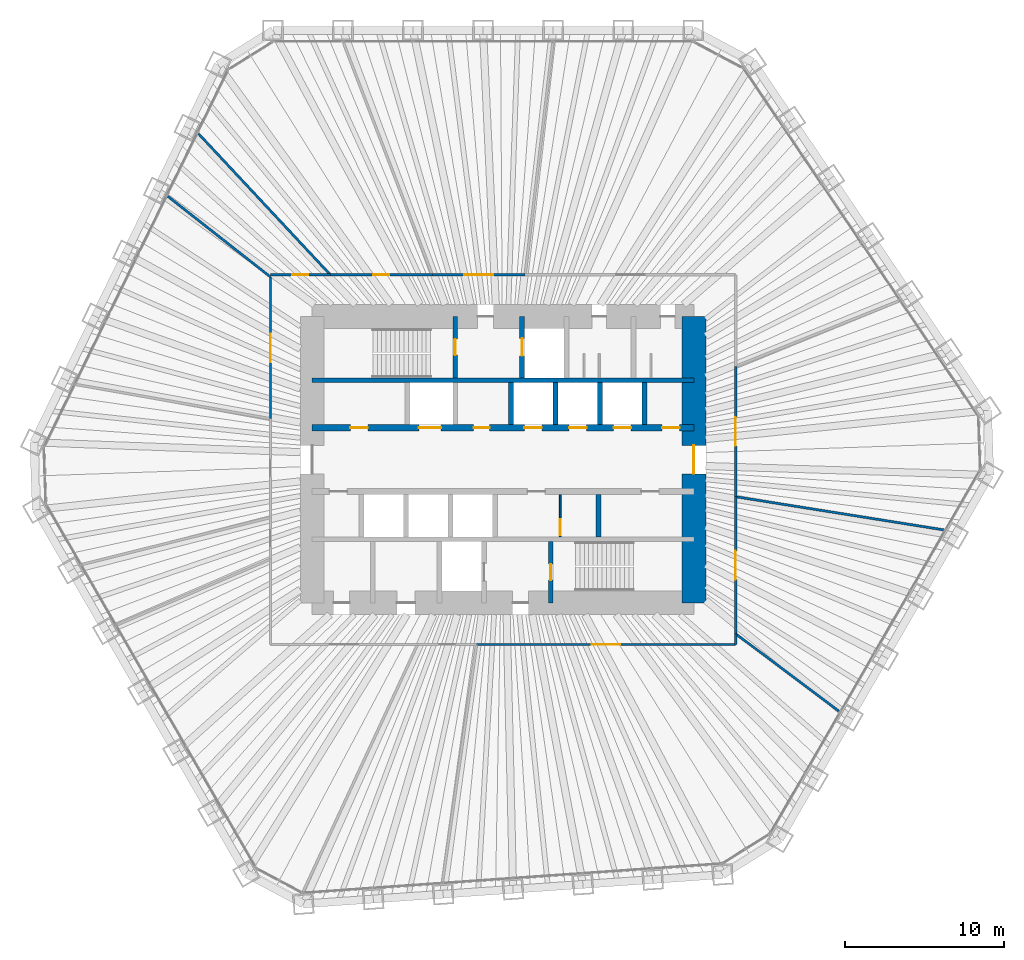
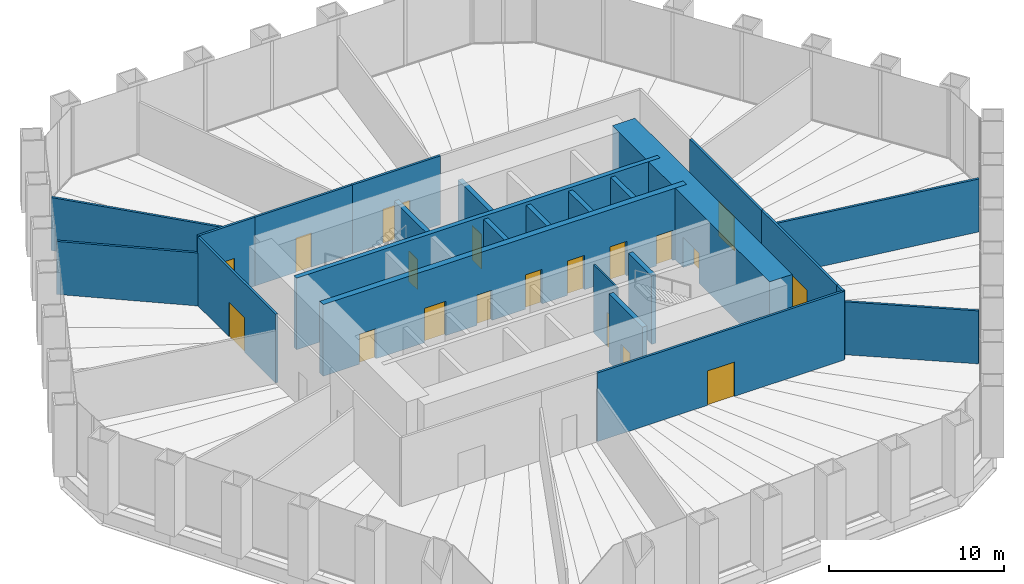
# One storey, part 11 of 13: 24 walls, 19 doors, 19 openings.
"""IFC4 building model written with IfcOpenShell, lengths in metres."""

from ifc_helpers import new_model, si_unit, direction, frame, frame_2d, origin, place, context, subcontext, project, spatial, rectangle, extrude, material, layer, layer_set, type_object, element, fill, save


model = new_model("IFC4")

# Units and contexts
model_context = context("Model", 3, precision=1e-05, world=origin(), true_north=direction((0.0, 1.0)))
body_context = subcontext(model_context, "Body", "Model", "MODEL_VIEW")
ifc_project = project(units=[si_unit("LENGTHUNIT", "METRE"), si_unit("AREAUNIT", "SQUARE_METRE"), si_unit("VOLUMEUNIT", "CUBIC_METRE"), si_unit("PLANEANGLEUNIT", "RADIAN"), si_unit("MASSUNIT", "GRAM", prefix="KILO")], contexts=[model_context])

# Site, building, storey
site_placement = place(None, origin())
site = spatial("IfcSite", under=ifc_project, at=site_placement, CompositionType="ELEMENT")
building_placement = place(site_placement, origin())
building = spatial("IfcBuilding", under=site, at=building_placement, Name="Qingtian Harvest Tower", CompositionType="ELEMENT")
storey_placement = place(building_placement, frame((0.0, 0.0, 42.0)))
storey = spatial("IfcBuildingStorey", under=building, at=storey_placement, Name="L08", CompositionType="ELEMENT", Elevation=42.0)

# Wall
ifc_material_1 = material(Name="Concrete fc' 70 MPa", Category="concrete")
ifc_layer_1 = layer(ifc_material_1, 0.300048828125)
ifc_layer_set_1 = layer_set([ifc_layer_1], Name="Core inner wall RC5 300")
wall_type_1 = type_object("IfcWallType", Name="Core inner wall RC5 300", PredefinedType="SHEAR", material=ifc_layer_set_1)
wall_1_placement = place(storey_placement, frame((-12.0, 5.0, 0.0), z_axis=(0.0, 0.0, 1.0), x_axis=(1.0, 0.0, 0.0)))
element("IfcWall", 1, at=wall_1_placement, inside=storey, type_object=wall_type_1, Name="Core wall IN5 L08", PredefinedType="SHEAR", context=body_context, shape_type="SweptSolid", body=[
    extrude(rectangle(XDim=24.0, YDim=0.300048828125, at=frame_2d((12.0, 0.0))), origin(), (0.0, 0.0, 1.0), 5.0),
])

# Wall, openings, doors
ifc_material_2 = material(Name="Concrete fc' 70 MPa", Category="concrete")
ifc_layer_2 = layer(ifc_material_2, 0.39990234375)
ifc_layer_set_2 = layer_set([ifc_layer_2], Name="Core inner web RC6 400")
wall_type_2 = type_object("IfcWallType", Name="Core inner web RC6 400", PredefinedType="SHEAR", material=ifc_layer_set_2)
wall_2_placement = place(storey_placement, frame((-12.0, 2.0, 0.0), z_axis=(0.0, 0.0, 1.0), x_axis=(1.0, 0.0, 0.0)))
wall_2 = element("IfcWall", 2, at=wall_2_placement, inside=storey, type_object=wall_type_2, Name="Core wall IN2 L08", PredefinedType="SHEAR", context=body_context, shape_type="SweptSolid", body=[
    extrude(rectangle(XDim=24.0, YDim=0.39990234375, at=frame_2d((12.0, 0.0))), origin(), (0.0, 0.0, 1.0), 5.0),
])
opening_1_placement = place(wall_2_placement, frame((2.39990234375, 0.0, 0.0)))
opening_1 = element("IfcOpeningElement", 3, at=opening_1_placement, cuts=wall_2, Name="Opening FD4", PredefinedType="OPENING", context=body_context, shape_type="SweptSolid", body=[
    extrude(rectangle(XDim=1.10009765625, YDim=2.10009765625, at=frame_2d((0.550048828125, 1.050048828125))), frame((0.0, 0.2099609375, 0.0), z_axis=(0.0, -1.0, 0.0), x_axis=(1.0, 0.0, 0.0)), (0.0, 0.0, 1.0), 0.419921875),
])
opening_2_placement = place(wall_2_placement, frame((22.0, 0.0, 0.0)))
opening_2 = element("IfcOpeningElement", 4, at=opening_2_placement, cuts=wall_2, Name="Opening FD4", PredefinedType="OPENING", context=body_context, shape_type="SweptSolid", body=[
    extrude(rectangle(XDim=1.10009765625, YDim=2.10009765625, at=frame_2d((0.550048828125, 1.050048828125))), frame((0.0, 0.2099609375, 0.0), z_axis=(0.0, -1.0, 0.0), x_axis=(1.0, 0.0, 0.0)), (0.0, 0.0, 1.0), 0.419921875),
])
opening_3_placement = place(wall_2_placement, frame((10.14990234375, 0.0, 0.0)))
opening_3 = element("IfcOpeningElement", 5, at=opening_3_placement, cuts=wall_2, Name="Opening FD1", PredefinedType="OPENING", context=body_context, shape_type="SweptSolid", body=[
    extrude(rectangle(XDim=1.0, YDim=2.10009765625, at=frame_2d((0.5, 1.050048828125))), frame((0.0, 0.2099609375, 0.0), z_axis=(0.0, -1.0, 0.0), x_axis=(1.0, 0.0, 0.0)), (0.0, 0.0, 1.0), 0.419921875),
])
opening_4_placement = place(wall_2_placement, frame((6.699951171875, 0.0, 0.0)))
opening_4 = element("IfcOpeningElement", 6, at=opening_4_placement, cuts=wall_2, Name="Opening LD2", PredefinedType="OPENING", context=body_context, shape_type="SweptSolid", body=[
    extrude(rectangle(XDim=1.39990234375, YDim=2.39990234375, at=frame_2d((0.699951171875, 1.199951171875))), frame((0.0, 0.2099609375, 0.0), z_axis=(0.0, -1.0, 0.0), x_axis=(1.0, 0.0, 0.0)), (0.0, 0.0, 1.0), 0.419921875),
])
opening_5_placement = place(wall_2_placement, frame((13.35009765625, 0.0, 0.0)))
opening_5 = element("IfcOpeningElement", 7, at=opening_5_placement, cuts=wall_2, Name="Opening LD1", PredefinedType="OPENING", context=body_context, shape_type="SweptSolid", body=[
    extrude(rectangle(XDim=1.10009765625, YDim=2.39990234375, at=frame_2d((0.550048828125, 1.199951171875))), frame((0.0, 0.2099609375, 0.0), z_axis=(0.0, -1.0, 0.0), x_axis=(1.0, 0.0, 0.0)), (0.0, 0.0, 1.0), 0.419921875),
])
opening_6_placement = place(wall_2_placement, frame((16.14990234375, 0.0, 0.0)))
opening_6 = element("IfcOpeningElement", 8, at=opening_6_placement, cuts=wall_2, Name="Opening LD1", PredefinedType="OPENING", context=body_context, shape_type="SweptSolid", body=[
    extrude(rectangle(XDim=1.10009765625, YDim=2.39990234375, at=frame_2d((0.550048828125, 1.199951171875))), frame((0.0, 0.2099609375, 0.0), z_axis=(0.0, -1.0, 0.0), x_axis=(1.0, 0.0, 0.0)), (0.0, 0.0, 1.0), 0.419921875),
])
opening_7_placement = place(wall_2_placement, frame((18.949951171875, 0.0, 0.0)))
opening_7 = element("IfcOpeningElement", 9, at=opening_7_placement, cuts=wall_2, Name="Opening LD1", PredefinedType="OPENING", context=body_context, shape_type="SweptSolid", body=[
    extrude(rectangle(XDim=1.10009765625, YDim=2.39990234375, at=frame_2d((0.550048828125, 1.199951171875))), frame((0.0, 0.2099609375, 0.0), z_axis=(0.0, -1.0, 0.0), x_axis=(1.0, 0.0, 0.0)), (0.0, 0.0, 1.0), 0.419921875),
])
ifc_material_3 = material(Name="Steel-faced door leaf", Category="steel")
door_type_1 = type_object("IfcDoorType", Name="Fire door FD1 single 1 HR", OperationType="SINGLE_SWING_LEFT", PredefinedType="DOOR", material=ifc_material_3)
door_1_placement = place(opening_3_placement, origin())
door_1 = element("IfcDoor", 10, at=door_1_placement, inside=storey, type_object=door_type_1, Name="STA door L08", OperationType="SINGLE_SWING_LEFT", OverallHeight=2.10009765625, OverallWidth=1.0, PredefinedType="DOOR", context=body_context, shape_type="SweptSolid", body=[
    extrude(rectangle(XDim=1.0, YDim=2.10009765625, at=frame_2d((0.5, 1.050048828125))), frame((0.0, 0.02490234375, 0.0), z_axis=(0.0, -1.0, 0.0), x_axis=(1.0, 0.0, 0.0)), (0.0, 0.0, 1.0), 0.050048828125),
])
fill(opening_3, door_1)
ifc_material_4 = material(Name="Steel-faced door leaf", Category="steel")
door_type_2 = type_object("IfcDoorType", Name="Fire door FD4 single 2 HR", OperationType="SINGLE_SWING_LEFT", PredefinedType="DOOR", material=ifc_material_4)
door_2_placement = place(opening_1_placement, origin())
door_2 = element("IfcDoor", 11, at=door_2_placement, inside=storey, type_object=door_type_2, Name="RA door L08", OperationType="SINGLE_SWING_LEFT", OverallHeight=2.10009765625, OverallWidth=1.10009765625, PredefinedType="DOOR", context=body_context, shape_type="SweptSolid", body=[
    extrude(rectangle(XDim=1.10009765625, YDim=2.10009765625, at=frame_2d((0.550048828125, 1.050048828125))), frame((0.0, 0.02490234375, 0.0), z_axis=(0.0, -1.0, 0.0), x_axis=(1.0, 0.0, 0.0)), (0.0, 0.0, 1.0), 0.050048828125),
])
fill(opening_1, door_2)
door_3_placement = place(opening_2_placement, origin())
door_3 = element("IfcDoor", 12, at=door_3_placement, inside=storey, type_object=door_type_2, Name="AHU door L08", OperationType="SINGLE_SWING_RIGHT", OverallHeight=2.10009765625, OverallWidth=1.10009765625, PredefinedType="DOOR", context=body_context, shape_type="SweptSolid", body=[
    extrude(rectangle(XDim=1.10009765625, YDim=2.10009765625, at=frame_2d((0.550048828125, 1.050048828125))), frame((0.0, 0.02490234375, 0.0), z_axis=(0.0, -1.0, 0.0), x_axis=(1.0, 0.0, 0.0)), (0.0, 0.0, 1.0), 0.050048828125),
])
fill(opening_2, door_3)
ifc_material_5 = material(Name="Stainless steel lift landing door", Category="steel")
door_type_3 = type_object("IfcDoorType", Name="Goods lift landing door LD2 1 HR", OperationType="DOUBLE_DOOR_SLIDING", PredefinedType="DOOR", material=ifc_material_5)
door_4_placement = place(opening_4_placement, origin())
door_4 = element("IfcDoor", 13, at=door_4_placement, inside=storey, type_object=door_type_3, Name="GL1 landing door L08", OperationType="DOUBLE_DOOR_SLIDING", OverallHeight=2.39990234375, OverallWidth=1.39990234375, PredefinedType="DOOR", context=body_context, shape_type="SweptSolid", body=[
    extrude(rectangle(XDim=1.39990234375, YDim=2.39990234375, at=frame_2d((0.699951171875, 1.199951171875))), frame((0.0, 0.02490234375, 0.0), z_axis=(0.0, -1.0, 0.0), x_axis=(1.0, 0.0, 0.0)), (0.0, 0.0, 1.0), 0.050048828125),
])
fill(opening_4, door_4)
ifc_material_6 = material(Name="Stainless steel lift landing door", Category="steel")
door_type_4 = type_object("IfcDoorType", Name="Lift landing door LD1 1 HR", OperationType="DOUBLE_DOOR_SLIDING", PredefinedType="DOOR", material=ifc_material_6)
door_5_placement = place(opening_5_placement, origin())
door_5 = element("IfcDoor", 14, at=door_5_placement, inside=storey, type_object=door_type_4, Name="PLA1 landing door L08", OperationType="DOUBLE_DOOR_SLIDING", OverallHeight=2.39990234375, OverallWidth=1.10009765625, PredefinedType="DOOR", context=body_context, shape_type="SweptSolid", body=[
    extrude(rectangle(XDim=1.10009765625, YDim=2.39990234375, at=frame_2d((0.550048828125, 1.199951171875))), frame((0.0, 0.02490234375, 0.0), z_axis=(0.0, -1.0, 0.0), x_axis=(1.0, 0.0, 0.0)), (0.0, 0.0, 1.0), 0.050048828125),
])
fill(opening_5, door_5)
door_6_placement = place(opening_6_placement, origin())
door_6 = element("IfcDoor", 15, at=door_6_placement, inside=storey, type_object=door_type_4, Name="PLA2 landing door L08", OperationType="DOUBLE_DOOR_SLIDING", OverallHeight=2.39990234375, OverallWidth=1.10009765625, PredefinedType="DOOR", context=body_context, shape_type="SweptSolid", body=[
    extrude(rectangle(XDim=1.10009765625, YDim=2.39990234375, at=frame_2d((0.550048828125, 1.199951171875))), frame((0.0, 0.02490234375, 0.0), z_axis=(0.0, -1.0, 0.0), x_axis=(1.0, 0.0, 0.0)), (0.0, 0.0, 1.0), 0.050048828125),
])
fill(opening_6, door_6)
door_7_placement = place(opening_7_placement, origin())
door_7 = element("IfcDoor", 16, at=door_7_placement, inside=storey, type_object=door_type_4, Name="PLA3 landing door L08", OperationType="DOUBLE_DOOR_SLIDING", OverallHeight=2.39990234375, OverallWidth=1.10009765625, PredefinedType="DOOR", context=body_context, shape_type="SweptSolid", body=[
    extrude(rectangle(XDim=1.10009765625, YDim=2.39990234375, at=frame_2d((0.550048828125, 1.199951171875))), frame((0.0, 0.02490234375, 0.0), z_axis=(0.0, -1.0, 0.0), x_axis=(1.0, 0.0, 0.0)), (0.0, 0.0, 1.0), 0.050048828125),
])
fill(opening_7, door_7)

# Wall, opening, door
ifc_material_7 = material(Name="Precast concrete shaft panel", Category="concrete")
ifc_layer_3 = layer(ifc_material_7, 0.300048828125)
ifc_layer_set_3 = layer_set([ifc_layer_3], Name="Core shaft partition SW1 300")
wall_type_3 = type_object("IfcWallType", Name="Core shaft partition SW1 300", PredefinedType="PARTITIONING", material=ifc_layer_set_3)
wall_3_placement = place(storey_placement, frame((-3.0, 5.14990234375, 0.0), z_axis=(0.0, 0.0, 1.0), x_axis=(0.0, 1.0, 0.0)))
wall_3 = element("IfcWall", 17, at=wall_3_placement, inside=storey, type_object=wall_type_3, Name="Core shaft partition XN1 L08", PredefinedType="PARTITIONING", context=body_context, shape_type="SweptSolid", body=[
    extrude(rectangle(XDim=3.85009765625, YDim=0.300048828125, at=frame_2d((1.925048828125, 0.0))), origin(), (0.0, 0.0, 1.0), 4.780029296875),
])
opening_8_placement = place(wall_3_placement, frame((1.425048828125, 0.0, 0.0)))
opening_8 = element("IfcOpeningElement", 18, at=opening_8_placement, cuts=wall_3, Name="Opening FD1", PredefinedType="OPENING", context=body_context, shape_type="SweptSolid", body=[
    extrude(rectangle(XDim=1.0, YDim=2.10009765625, at=frame_2d((0.5, 1.050048828125))), frame((0.0, 0.159912109375, 0.0), z_axis=(0.0, -1.0, 0.0), x_axis=(1.0, 0.0, 0.0)), (0.0, 0.0, 1.0), 0.320068359375),
])
door_8_placement = place(opening_8_placement, origin())
door_8 = element("IfcDoor", 19, at=door_8_placement, inside=storey, type_object=door_type_1, Name="S1 door L08", OperationType="SINGLE_SWING_LEFT", OverallHeight=2.10009765625, OverallWidth=1.0, PredefinedType="DOOR", context=body_context, shape_type="SweptSolid", body=[
    extrude(rectangle(XDim=1.0, YDim=2.10009765625, at=frame_2d((0.5, 1.050048828125))), frame((0.0, 0.02490234375, 0.0), z_axis=(0.0, -1.0, 0.0), x_axis=(1.0, 0.0, 0.0)), (0.0, 0.0, 1.0), 0.050048828125),
])
fill(opening_8, door_8)

wall_4_placement = place(storey_placement, frame((1.199951171875, 5.14990234375, 0.0), z_axis=(0.0, 0.0, 1.0), x_axis=(0.0, 1.0, 0.0)))
wall_4 = element("IfcWall", 20, at=wall_4_placement, inside=storey, type_object=wall_type_3, Name="Core shaft partition XN2 L08", PredefinedType="PARTITIONING", context=body_context, shape_type="SweptSolid", body=[
    extrude(rectangle(XDim=3.85009765625, YDim=0.300048828125, at=frame_2d((1.925048828125, 0.0))), origin(), (0.0, 0.0, 1.0), 4.780029296875),
])
opening_9_placement = place(wall_4_placement, frame((1.375, 0.0, 0.0)))
opening_9 = element("IfcOpeningElement", 21, at=opening_9_placement, cuts=wall_4, Name="Opening LD1", PredefinedType="OPENING", context=body_context, shape_type="SweptSolid", body=[
    extrude(rectangle(XDim=1.10009765625, YDim=2.39990234375, at=frame_2d((0.550048828125, 1.199951171875))), frame((0.0, 0.159912109375, 0.0), z_axis=(0.0, -1.0, 0.0), x_axis=(1.0, 0.0, 0.0)), (0.0, 0.0, 1.0), 0.320068359375),
])
door_9_placement = place(opening_9_placement, origin())
door_9 = element("IfcDoor", 22, at=door_9_placement, inside=storey, type_object=door_type_4, Name="FL1 landing door L08", OperationType="DOUBLE_DOOR_SLIDING", OverallHeight=2.39990234375, OverallWidth=1.10009765625, PredefinedType="DOOR", context=body_context, shape_type="SweptSolid", body=[
    extrude(rectangle(XDim=1.10009765625, YDim=2.39990234375, at=frame_2d((0.550048828125, 1.199951171875))), frame((0.0, 0.02490234375, 0.0), z_axis=(0.0, -1.0, 0.0), x_axis=(1.0, 0.0, 0.0)), (0.0, 0.0, 1.0), 0.050048828125),
])
fill(opening_9, door_9)

# Walls
for number, where, z_axis, x_axis, name in (
    (23, (0.5, 2.199951171875, 0.0), (0.0, 0.0, 1.0), (0.0, 1.0, 0.0), "Core shaft partition XA3 L08"),
    (24, (3.300048828125, 2.199951171875, 0.0), (0.0, 0.0, 1.0), (0.0, 1.0, 0.0), "Core shaft partition XA4 L08"),
    (25, (6.10009765625, 2.199951171875, 0.0), (0.0, 0.0, 1.0), (0.0, 1.0, 0.0), "Core shaft partition XA5 L08"),
    (26, (8.89990234375, 2.199951171875, 0.0), (0.0, 0.0, 1.0), (0.0, 1.0, 0.0), "Core shaft partition XA6 L08"),
    (27, (6.0, -4.85009765625, 0.0), (0.0, 0.0, 1.0), (0.0, 1.0, 0.0), "Core shaft partition XB5 L08"),
):
    element("IfcWall", number, at=place(storey_placement, frame(where, z_axis=z_axis, x_axis=x_axis)), inside=storey, type_object=wall_type_3, Name=name, PredefinedType="PARTITIONING", context=body_context, shape_type="SweptSolid", body=[
        extrude(rectangle(XDim=2.650146484375, YDim=0.300048828125, at=frame_2d((1.3251953125, 0.0))), origin(), (0.0, 0.0, 1.0), 4.780029296875),
    ])

# Wall, opening, door
wall_5_placement = place(storey_placement, frame((3.0, -9.0, 0.0), z_axis=(0.0, 0.0, 1.0), x_axis=(0.0, 1.0, 0.0)))
wall_5 = element("IfcWall", 28, at=wall_5_placement, inside=storey, type_object=wall_type_3, Name="Core shaft partition XS4 L08", PredefinedType="PARTITIONING", context=body_context, shape_type="SweptSolid", body=[
    extrude(rectangle(XDim=3.85009765625, YDim=0.300048828125, at=frame_2d((1.925048828125, 0.0))), origin(), (0.0, 0.0, 1.0), 4.780029296875),
])
opening_10_placement = place(wall_5_placement, frame((1.425048828125, 0.0, 0.0)))
opening_10 = element("IfcOpeningElement", 29, at=opening_10_placement, cuts=wall_5, Name="Opening FD1", PredefinedType="OPENING", context=body_context, shape_type="SweptSolid", body=[
    extrude(rectangle(XDim=1.0, YDim=2.10009765625, at=frame_2d((0.5, 1.050048828125))), frame((0.0, 0.159912109375, 0.0), z_axis=(0.0, -1.0, 0.0), x_axis=(1.0, 0.0, 0.0)), (0.0, 0.0, 1.0), 0.320068359375),
])
door_10_placement = place(opening_10_placement, origin())
door_10 = element("IfcDoor", 30, at=door_10_placement, inside=storey, type_object=door_type_1, Name="S2 door L08", OperationType="SINGLE_SWING_RIGHT", OverallHeight=2.10009765625, OverallWidth=1.0, PredefinedType="DOOR", context=body_context, shape_type="SweptSolid", body=[
    extrude(rectangle(XDim=1.0, YDim=2.10009765625, at=frame_2d((0.5, 1.050048828125))), frame((0.0, 0.02490234375, 0.0), z_axis=(0.0, -1.0, 0.0), x_axis=(1.0, 0.0, 0.0)), (0.0, 0.0, 1.0), 0.050048828125),
])
fill(opening_10, door_10)

ifc_material_8 = material(Name="Concrete fc' 70 MPa", Category="concrete")
ifc_layer_4 = layer(ifc_material_8, 1.5)
ifc_layer_set_4 = layer_set([ifc_layer_4], Name="Core wall RC1 1500")
wall_type_4 = type_object("IfcWallType", Name="Core wall RC1 1500", PredefinedType="SHEAR", material=ifc_layer_set_4)
wall_6_placement = place(storey_placement, frame((12.0, -9.0, 0.0), z_axis=(0.0, 0.0, 1.0), x_axis=(0.0, 1.0, 0.0)))
wall_6 = element("IfcWall", 31, at=wall_6_placement, inside=storey, type_object=wall_type_4, Name="Core wall CE L08", PredefinedType="SHEAR", context=body_context, shape_type="SweptSolid", body=[
    extrude(rectangle(XDim=18.0, YDim=1.5, at=frame_2d((9.0, 0.0))), origin(), (0.0, 0.0, 1.0), 5.0),
])
opening_11_placement = place(wall_6_placement, frame((8.10009765625, 0.0, 0.0)))
opening_11 = element("IfcOpeningElement", 32, at=opening_11_placement, cuts=wall_6, Name="Opening FD2", PredefinedType="OPENING", context=body_context, shape_type="SweptSolid", body=[
    extrude(rectangle(XDim=1.800048828125, YDim=2.10009765625, at=frame_2d((0.89990234375, 1.050048828125))), frame((0.0, 0.760009765625, 0.0), z_axis=(0.0, -1.0, 0.0), x_axis=(1.0, 0.0, 0.0)), (0.0, 0.0, 1.0), 1.52001953125),
])
ifc_material_9 = material(Name="Steel-faced door leaf", Category="steel")
door_type_5 = type_object("IfcDoorType", Name="Fire door FD2 double 1 HR", OperationType="DOUBLE_DOOR_DOUBLE_SWING", PredefinedType="DOOR", material=ifc_material_9)
door_11_placement = place(opening_11_placement, origin())
door_11 = element("IfcDoor", 33, at=door_11_placement, inside=storey, type_object=door_type_5, Name="LOBBY-E door L08", OperationType="DOUBLE_DOOR_DOUBLE_SWING", OverallHeight=2.10009765625, OverallWidth=1.800048828125, PredefinedType="DOOR", context=body_context, shape_type="SweptSolid", body=[
    extrude(rectangle(XDim=1.800048828125, YDim=2.10009765625, at=frame_2d((0.89990234375, 1.050048828125))), frame((0.0, 0.02490234375, 0.0), z_axis=(0.0, -1.0, 0.0), x_axis=(1.0, 0.0, 0.0)), (0.0, 0.0, 1.0), 0.050048828125),
])
fill(opening_11, door_11)

ifc_material_10 = material(Name="Gypsum board on steel studs", Category="steel")
ifc_layer_5 = layer(ifc_material_10, 0.14990234375)
ifc_layer_set_5 = layer_set([ifc_layer_5], Name="Partition PT1 150")
wall_type_5 = type_object("IfcWallType", Name="Partition PT1 150", PredefinedType="PARTITIONING", material=ifc_layer_set_5)
wall_7_placement = place(storey_placement, frame((14.625, 5.8642578125, 0.0), z_axis=(0.0, 0.0, 1.0), x_axis=(0.0, -1.0, 0.0)))
wall_7 = element("IfcWall", 34, at=wall_7_placement, inside=storey, type_object=wall_type_5, Name="Leafy greens growing room wall L08", PredefinedType="PARTITIONING", context=body_context, shape_type="SweptSolid", body=[
    extrude(rectangle(XDim=8.19482421875, YDim=0.14990234375, at=frame_2d((4.097412109375, 0.0))), origin(), (0.0, 0.0, 1.0), 4.800048828125),
])
opening_12_placement = place(wall_7_placement, frame((3.197509765625, 0.0, 0.0)))
opening_12 = element("IfcOpeningElement", 35, at=opening_12_placement, cuts=wall_7, Name="Opening D3", PredefinedType="OPENING", context=body_context, shape_type="SweptSolid", body=[
    extrude(rectangle(XDim=1.800048828125, YDim=2.39990234375, at=frame_2d((0.89990234375, 1.199951171875))), frame((0.0, 0.0849609375, 0.0), z_axis=(0.0, -1.0, 0.0), x_axis=(1.0, 0.0, 0.0)), (0.0, 0.0, 1.0), 0.169921875),
])
ifc_material_11 = material(Name="Laminated timber door leaf", Category="wood")
door_type_6 = type_object("IfcDoorType", Name="Room door D3 double", OperationType="DOUBLE_DOOR_DOUBLE_SWING", PredefinedType="DOOR", material=ifc_material_11)
door_12_placement = place(opening_12_placement, origin())
door_12 = element("IfcDoor", 36, at=door_12_placement, inside=storey, type_object=door_type_6, Name="Leafy greens growing room door L08", OperationType="DOUBLE_DOOR_DOUBLE_SWING", OverallHeight=2.39990234375, OverallWidth=1.800048828125, PredefinedType="DOOR", context=body_context, shape_type="SweptSolid", body=[
    extrude(rectangle(XDim=1.800048828125, YDim=2.39990234375, at=frame_2d((0.89990234375, 1.199951171875))), frame((0.0, 0.02490234375, 0.0), z_axis=(0.0, -1.0, 0.0), x_axis=(1.0, 0.0, 0.0)), (0.0, 0.0, 1.0), 0.050048828125),
])
fill(opening_12, door_12)

# Wall
wall_8_placement = place(storey_placement, frame((27.711181640625, -4.416015625, 0.0), z_axis=(0.0, 0.0, 1.0), x_axis=(-0.987538625309, 0.15737682016, 0.0)))
element("IfcWall", 37, at=wall_8_placement, inside=storey, type_object=wall_type_5, Name="Leafy greens growing room wall L08", PredefinedType="PARTITIONING", context=body_context, shape_type="SweptSolid", body=[
    extrude(rectangle(XDim=13.251220703125, YDim=0.14990234375, at=frame_2d((6.62548828125, 0.0))), origin(), (0.0, 0.0, 1.0), 3.699951171875),
])

# Wall, opening, door
wall_9_placement = place(storey_placement, frame((14.625, -2.33056640625, 0.0), z_axis=(0.0, 0.0, 1.0), x_axis=(0.0, -1.0, 0.0)))
wall_9 = element("IfcWall", 38, at=wall_9_placement, inside=storey, type_object=wall_type_5, Name="Leafy greens growing room wall L08", PredefinedType="PARTITIONING", context=body_context, shape_type="SweptSolid", body=[
    extrude(rectangle(XDim=8.61962890625, YDim=0.14990234375, at=frame_2d((4.309814453125, 0.0))), origin(), (0.0, 0.0, 1.0), 4.800048828125),
])
opening_13_placement = place(wall_9_placement, frame((3.40966796875, 0.0, 0.0)))
opening_13 = element("IfcOpeningElement", 39, at=opening_13_placement, cuts=wall_9, Name="Opening D3", PredefinedType="OPENING", context=body_context, shape_type="SweptSolid", body=[
    extrude(rectangle(XDim=1.800048828125, YDim=2.39990234375, at=frame_2d((0.89990234375, 1.199951171875))), frame((0.0, 0.0849609375, 0.0), z_axis=(0.0, -1.0, 0.0), x_axis=(1.0, 0.0, 0.0)), (0.0, 0.0, 1.0), 0.169921875),
])
door_13_placement = place(opening_13_placement, origin())
door_13 = element("IfcDoor", 40, at=door_13_placement, inside=storey, type_object=door_type_6, Name="Leafy greens growing room door L08", OperationType="DOUBLE_DOOR_DOUBLE_SWING", OverallHeight=2.39990234375, OverallWidth=1.800048828125, PredefinedType="DOOR", context=body_context, shape_type="SweptSolid", body=[
    extrude(rectangle(XDim=1.800048828125, YDim=2.39990234375, at=frame_2d((0.89990234375, 1.199951171875))), frame((0.0, 0.02490234375, 0.0), z_axis=(0.0, -1.0, 0.0), x_axis=(1.0, 0.0, 0.0)), (0.0, 0.0, 1.0), 0.050048828125),
])
fill(opening_13, door_13)

# Walls
wall_10_placement = place(storey_placement, frame((21.123046875, -15.8154296875, 0.0), z_axis=(0.0, 0.0, 1.0), x_axis=(-0.800490565123, 0.599345355492, 0.0)))
element("IfcWall", 41, at=wall_10_placement, inside=storey, type_object=wall_type_5, Name="Lettuce growing room wall L08", PredefinedType="PARTITIONING", context=body_context, shape_type="SweptSolid", body=[
    extrude(rectangle(XDim=8.11767578125, YDim=0.14990234375, at=frame_2d((4.058837890625, 0.0))), origin(), (0.0, 0.0, 1.0), 3.699951171875),
])
wall_11_placement = place(storey_placement, frame((14.625, -10.9501953125, 0.0), z_axis=(0.0, 0.0, 1.0), x_axis=(0.0, -1.0, 0.0)))
element("IfcWall", 42, at=wall_11_placement, inside=storey, type_object=wall_type_5, Name="Lettuce growing room wall L08", PredefinedType="PARTITIONING", context=body_context, shape_type="SweptSolid", body=[
    extrude(rectangle(XDim=0.6748046875, YDim=0.14990234375, at=frame_2d((0.33740234375, 0.0))), origin(), (0.0, 0.0, 1.0), 4.800048828125),
])

# Wall, opening, door
wall_12_placement = place(storey_placement, frame((14.625, -11.625, 0.0), z_axis=(0.0, 0.0, 1.0), x_axis=(-1.0, 0.0, 0.0)))
wall_12 = element("IfcWall", 43, at=wall_12_placement, inside=storey, type_object=wall_type_5, Name="Lettuce growing room wall L08", PredefinedType="PARTITIONING", context=body_context, shape_type="SweptSolid", body=[
    extrude(rectangle(XDim=16.289794921875, YDim=0.14990234375, at=frame_2d((8.14501953125, 0.0))), origin(), (0.0, 0.0, 1.0), 4.800048828125),
])
opening_14_placement = place(wall_12_placement, frame((7.244873046875, 0.0, 0.0)))
opening_14 = element("IfcOpeningElement", 44, at=opening_14_placement, cuts=wall_12, Name="Opening D3", PredefinedType="OPENING", context=body_context, shape_type="SweptSolid", body=[
    extrude(rectangle(XDim=1.800048828125, YDim=2.39990234375, at=frame_2d((0.89990234375, 1.199951171875))), frame((0.0, 0.0849609375, 0.0), z_axis=(0.0, -1.0, 0.0), x_axis=(1.0, 0.0, 0.0)), (0.0, 0.0, 1.0), 0.169921875),
])
door_14_placement = place(opening_14_placement, origin())
door_14 = element("IfcDoor", 45, at=door_14_placement, inside=storey, type_object=door_type_6, Name="Lettuce growing room door L08", OperationType="DOUBLE_DOOR_DOUBLE_SWING", OverallHeight=2.39990234375, OverallWidth=1.800048828125, PredefinedType="DOOR", context=body_context, shape_type="SweptSolid", body=[
    extrude(rectangle(XDim=1.800048828125, YDim=2.39990234375, at=frame_2d((0.89990234375, 1.199951171875))), frame((0.0, 0.02490234375, 0.0), z_axis=(0.0, -1.0, 0.0), x_axis=(1.0, 0.0, 0.0)), (0.0, 0.0, 1.0), 0.050048828125),
])
fill(opening_14, door_14)

wall_13_placement = place(storey_placement, frame((-14.625, 2.573486328125, 0.0), z_axis=(0.0, 0.0, 1.0), x_axis=(0.0, 1.0, 0.0)))
wall_13 = element("IfcWall", 46, at=wall_13_placement, inside=storey, type_object=wall_type_5, Name="Packing room wall L08", PredefinedType="PARTITIONING", context=body_context, shape_type="SweptSolid", body=[
    extrude(rectangle(XDim=8.91455078125, YDim=0.14990234375, at=frame_2d((4.457275390625, 0.0))), origin(), (0.0, 0.0, 1.0), 4.800048828125),
])
opening_15_placement = place(wall_13_placement, frame((3.557373046875, 0.0, 0.0)))
opening_15 = element("IfcOpeningElement", 47, at=opening_15_placement, cuts=wall_13, Name="Opening D3", PredefinedType="OPENING", context=body_context, shape_type="SweptSolid", body=[
    extrude(rectangle(XDim=1.800048828125, YDim=2.39990234375, at=frame_2d((0.89990234375, 1.199951171875))), frame((0.0, 0.0849609375, 0.0), z_axis=(0.0, -1.0, 0.0), x_axis=(1.0, 0.0, 0.0)), (0.0, 0.0, 1.0), 0.169921875),
])
door_15_placement = place(opening_15_placement, origin())
door_15 = element("IfcDoor", 48, at=door_15_placement, inside=storey, type_object=door_type_6, Name="Packing room door L08", OperationType="DOUBLE_DOOR_DOUBLE_SWING", OverallHeight=2.39990234375, OverallWidth=1.800048828125, PredefinedType="DOOR", context=body_context, shape_type="SweptSolid", body=[
    extrude(rectangle(XDim=1.800048828125, YDim=2.39990234375, at=frame_2d((0.89990234375, 1.199951171875))), frame((0.0, 0.02490234375, 0.0), z_axis=(0.0, -1.0, 0.0), x_axis=(1.0, 0.0, 0.0)), (0.0, 0.0, 1.0), 0.050048828125),
])
fill(opening_15, door_15)

# Wall
wall_14_placement = place(storey_placement, frame((-21.077392578125, 16.556640625, 0.0), z_axis=(0.0, 0.0, 1.0), x_axis=(0.786385446389, -0.617736132752, 0.0)))
element("IfcWall", 49, at=wall_14_placement, inside=storey, type_object=wall_type_5, Name="Quality lab wall L08", PredefinedType="PARTITIONING", context=body_context, shape_type="SweptSolid", body=[
    extrude(rectangle(XDim=8.205078125, YDim=0.14990234375, at=frame_2d((4.1025390625, 0.0))), origin(), (0.0, 0.0, 1.0), 3.699951171875),
])

# Wall, opening, door
wall_15_placement = place(storey_placement, frame((-14.625, 11.625, 0.0), z_axis=(0.0, 0.0, 1.0), x_axis=(1.0, 0.0, 0.0)))
wall_15 = element("IfcWall", 50, at=wall_15_placement, inside=storey, type_object=wall_type_5, Name="Quality lab wall L08", PredefinedType="PARTITIONING", context=body_context, shape_type="SweptSolid", body=[
    extrude(rectangle(XDim=3.763671875, YDim=0.14990234375, at=frame_2d((1.8818359375, 0.0))), origin(), (0.0, 0.0, 1.0), 4.800048828125),
])
opening_16_placement = place(wall_15_placement, frame((1.3818359375, 0.0, 0.0)))
opening_16 = element("IfcOpeningElement", 51, at=opening_16_placement, cuts=wall_15, Name="Opening D2", PredefinedType="OPENING", context=body_context, shape_type="SweptSolid", body=[
    extrude(rectangle(XDim=1.0, YDim=2.39990234375, at=frame_2d((0.5, 1.199951171875))), frame((0.0, 0.0849609375, 0.0), z_axis=(0.0, -1.0, 0.0), x_axis=(1.0, 0.0, 0.0)), (0.0, 0.0, 1.0), 0.169921875),
])
ifc_material_12 = material(Name="Laminated timber door leaf", Category="wood")
door_type_7 = type_object("IfcDoorType", Name="Room door D2 single", OperationType="SINGLE_SWING_LEFT", PredefinedType="DOOR", material=ifc_material_12)
door_16_placement = place(opening_16_placement, origin())
door_16 = element("IfcDoor", 52, at=door_16_placement, inside=storey, type_object=door_type_7, Name="Quality lab door L08", OperationType="SINGLE_SWING_RIGHT", OverallHeight=2.39990234375, OverallWidth=1.0, PredefinedType="DOOR", context=body_context, shape_type="SweptSolid", body=[
    extrude(rectangle(XDim=1.0, YDim=2.39990234375, at=frame_2d((0.5, 1.199951171875))), frame((0.0, 0.02490234375, 0.0), z_axis=(0.0, -1.0, 0.0), x_axis=(1.0, 0.0, 0.0)), (0.0, 0.0, 1.0), 0.050048828125),
])
fill(opening_16, door_16)

# Wall
wall_16_placement = place(storey_placement, frame((-19.156982421875, 20.504150390625, 0.0), z_axis=(0.0, 0.0, 1.0), x_axis=(0.682689688298, -0.73070841619, 0.0)))
element("IfcWall", 53, at=wall_16_placement, inside=storey, type_object=wall_type_5, Name="Harvest wash room wall L08", PredefinedType="PARTITIONING", context=body_context, shape_type="SweptSolid", body=[
    extrude(rectangle(XDim=12.1513671875, YDim=0.14990234375, at=frame_2d((6.07568359375, 0.0))), origin(), (0.0, 0.0, 1.0), 3.699951171875),
])

# Wall, opening, door
wall_17_placement = place(storey_placement, frame((-10.861328125, 11.625, 0.0), z_axis=(0.0, 0.0, 1.0), x_axis=(1.0, 0.0, 0.0)))
wall_17 = element("IfcWall", 54, at=wall_17_placement, inside=storey, type_object=wall_type_5, Name="Harvest wash room wall L08", PredefinedType="PARTITIONING", context=body_context, shape_type="SweptSolid", body=[
    extrude(rectangle(XDim=6.41162109375, YDim=0.14990234375, at=frame_2d((3.205810546875, 0.0))), origin(), (0.0, 0.0, 1.0), 4.800048828125),
])
opening_17_placement = place(wall_17_placement, frame((2.705810546875, 0.0, 0.0)))
opening_17 = element("IfcOpeningElement", 55, at=opening_17_placement, cuts=wall_17, Name="Opening D2", PredefinedType="OPENING", context=body_context, shape_type="SweptSolid", body=[
    extrude(rectangle(XDim=1.0, YDim=2.39990234375, at=frame_2d((0.5, 1.199951171875))), frame((0.0, 0.0849609375, 0.0), z_axis=(0.0, -1.0, 0.0), x_axis=(1.0, 0.0, 0.0)), (0.0, 0.0, 1.0), 0.169921875),
])
door_17_placement = place(opening_17_placement, origin())
door_17 = element("IfcDoor", 56, at=door_17_placement, inside=storey, type_object=door_type_7, Name="Harvest wash room door L08", OperationType="SINGLE_SWING_RIGHT", OverallHeight=2.39990234375, OverallWidth=1.0, PredefinedType="DOOR", context=body_context, shape_type="SweptSolid", body=[
    extrude(rectangle(XDim=1.0, YDim=2.39990234375, at=frame_2d((0.5, 1.199951171875))), frame((0.0, 0.02490234375, 0.0), z_axis=(0.0, -1.0, 0.0), x_axis=(1.0, 0.0, 0.0)), (0.0, 0.0, 1.0), 0.050048828125),
])
fill(opening_17, door_17)

wall_18_placement = place(storey_placement, frame((-4.44970703125, 11.625, 0.0), z_axis=(0.0, 0.0, 1.0), x_axis=(1.0, 0.0, 0.0)))
wall_18 = element("IfcWall", 57, at=wall_18_placement, inside=storey, type_object=wall_type_5, Name="Leafy greens growing room wall L08", PredefinedType="PARTITIONING", context=body_context, shape_type="SweptSolid", body=[
    extrude(rectangle(XDim=5.8408203125, YDim=0.14990234375, at=frame_2d((2.92041015625, 0.0))), origin(), (0.0, 0.0, 1.0), 4.800048828125),
])
opening_18_placement = place(wall_18_placement, frame((2.020263671875, 0.0, 0.0)))
opening_18 = element("IfcOpeningElement", 58, at=opening_18_placement, cuts=wall_18, Name="Opening D3", PredefinedType="OPENING", context=body_context, shape_type="SweptSolid", body=[
    extrude(rectangle(XDim=1.800048828125, YDim=2.39990234375, at=frame_2d((0.89990234375, 1.199951171875))), frame((0.0, 0.0849609375, 0.0), z_axis=(0.0, -1.0, 0.0), x_axis=(1.0, 0.0, 0.0)), (0.0, 0.0, 1.0), 0.169921875),
])
door_18_placement = place(opening_18_placement, origin())
door_18 = element("IfcDoor", 59, at=door_18_placement, inside=storey, type_object=door_type_6, Name="Leafy greens growing room door L08", OperationType="DOUBLE_DOOR_DOUBLE_SWING", OverallHeight=2.39990234375, OverallWidth=1.800048828125, PredefinedType="DOOR", context=body_context, shape_type="SweptSolid", body=[
    extrude(rectangle(XDim=1.800048828125, YDim=2.39990234375, at=frame_2d((0.89990234375, 1.199951171875))), frame((0.0, 0.02490234375, 0.0), z_axis=(0.0, -1.0, 0.0), x_axis=(1.0, 0.0, 0.0)), (0.0, 0.0, 1.0), 0.050048828125),
])
fill(opening_18, door_18)

ifc_material_13 = material(Name="Concrete block partition", Category="concrete")
ifc_layer_6 = layer(ifc_material_13, 0.10009765625)
ifc_layer_set_6 = layer_set([ifc_layer_6], Name="Store partition PT3 100")
wall_type_6 = type_object("IfcWallType", Name="Store partition PT3 100", PredefinedType="PARTITIONING", material=ifc_layer_set_6)
wall_19_placement = place(storey_placement, frame((3.60009765625, -4.85009765625, 0.0), z_axis=(0.0, 0.0, 1.0), x_axis=(0.0, 1.0, 0.0)))
wall_19 = element("IfcWall", 60, at=wall_19_placement, inside=storey, type_object=wall_type_6, Name="Control room wall L08", PredefinedType="PARTITIONING", context=body_context, shape_type="SweptSolid", body=[
    extrude(rectangle(XDim=2.650146484375, YDim=0.10009765625, at=frame_2d((1.3251953125, 0.0))), origin(), (0.0, 0.0, 1.0), 4.780029296875),
])
opening_19_placement = place(wall_19_placement, frame((0.10009765625, 0.0, 0.0)))
opening_19 = element("IfcOpeningElement", 61, at=opening_19_placement, cuts=wall_19, Name="Opening D2", PredefinedType="OPENING", context=body_context, shape_type="SweptSolid", body=[
    extrude(rectangle(XDim=1.0, YDim=2.39990234375, at=frame_2d((0.5, 1.199951171875))), frame((0.0, 0.06005859375, 0.0), z_axis=(0.0, -1.0, 0.0), x_axis=(1.0, 0.0, 0.0)), (0.0, 0.0, 1.0), 0.1201171875),
])
door_19_placement = place(opening_19_placement, origin())
door_19 = element("IfcDoor", 62, at=door_19_placement, inside=storey, type_object=door_type_7, Name="Control room door L08", OperationType="SINGLE_SWING_LEFT", OverallHeight=2.39990234375, OverallWidth=1.0, PredefinedType="DOOR", context=body_context, shape_type="SweptSolid", body=[
    extrude(rectangle(XDim=1.0, YDim=2.39990234375, at=frame_2d((0.5, 1.199951171875))), frame((0.0, 0.02490234375, 0.0), z_axis=(0.0, -1.0, 0.0), x_axis=(1.0, 0.0, 0.0)), (0.0, 0.0, 1.0), 0.050048828125),
])
fill(opening_19, door_19)

save(model, "model.ifc")
